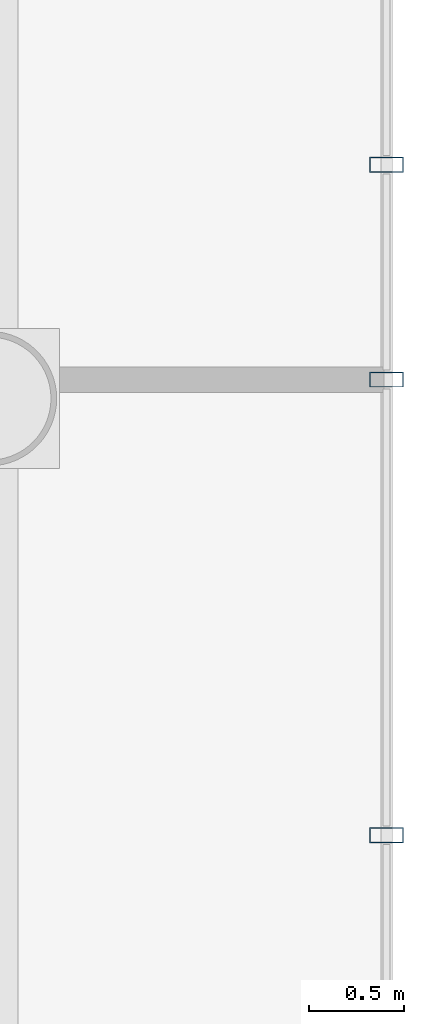
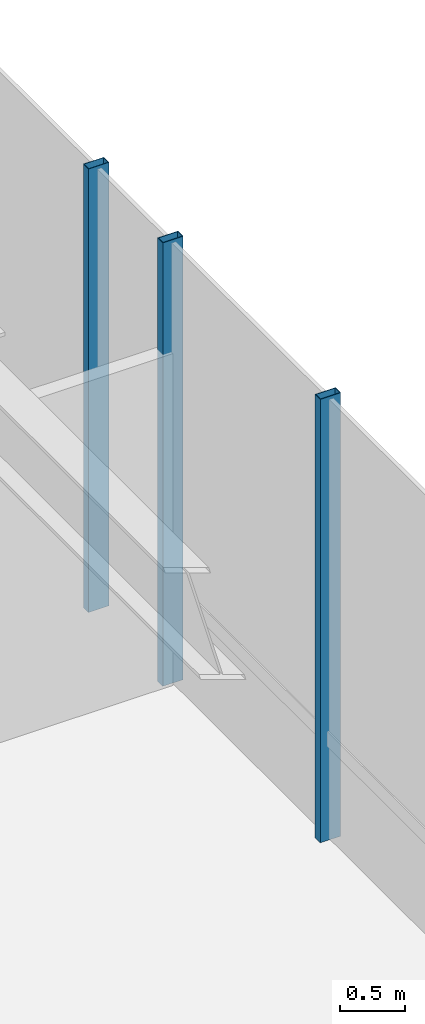
# One storey, part 29 of 43: 3 members, 1 element without a shape of its own.
"""IFC4 building model written with IfcOpenShell, lengths in metres."""

from ifc_helpers import new_model, si_unit, direction, frame, origin, origin_2d, place, context, subcontext, project, spatial, hollow_rectangle, extrude, material, layer, layer_set, material_profile, profile_set, type_object, element, aggregate, save


model = new_model("IFC4")

# Units and contexts
model_context = context("Model", 3, precision=1e-05, world=origin(), true_north=direction((0.0, 1.0)))
body_context = subcontext(model_context, "Body", "Model", "MODEL_VIEW")
ifc_project = project(units=[si_unit("LENGTHUNIT", "METRE"), si_unit("AREAUNIT", "SQUARE_METRE"), si_unit("VOLUMEUNIT", "CUBIC_METRE"), si_unit("PLANEANGLEUNIT", "RADIAN"), si_unit("MASSUNIT", "GRAM", prefix="KILO")], contexts=[model_context])

# Site, building, storey
site_placement = place(None, origin())
site = spatial("IfcSite", under=ifc_project, at=site_placement, CompositionType="ELEMENT")
building_placement = place(site_placement, origin())
building = spatial("IfcBuilding", under=site, at=building_placement, Name="Zarrinselat Tower", CompositionType="ELEMENT")
storey_placement = place(building_placement, frame((0.0, 0.0, 5.10009765625)))
storey = spatial("IfcBuildingStorey", under=building, at=storey_placement, Name="L01", CompositionType="ELEMENT", Elevation=5.10009765625)

# Curtain wall, members
ifc_material_1 = material(Name="Extruded Aluminium Alloy EN AW-6063 T6", Category="aluminium")
ifc_layer = layer(ifc_material_1, 0.2099609375)
ifc_layer_set = layer_set([ifc_layer], Name="Extruded Aluminium Alloy EN AW-6063 T6")
curtain_wall_type = type_object("IfcCurtainWallType", Name="CWS-POD", PredefinedType="NOTDEFINED", material=ifc_layer_set)
curtain_wall_placement = place(storey_placement, origin())
curtain_wall = element("IfcCurtainWall", 1, at=curtain_wall_placement, inside=storey, type_object=curtain_wall_type, Name="L01 Unitised Curtain Wall CW-L01-F3", PredefinedType="NOTDEFINED")
ifc_material_2 = material(Name="Extruded Aluminium Alloy EN AW-6063 T6", Category="aluminium")
ifc_material_profile = material_profile(ifc_material_2, hollow_rectangle(XDim=0.080078125, YDim=0.179931640625, WallThickness=0.0048828125, at=origin_2d()), Name="RHS 180x80x5")
ifc_profile_set = profile_set([ifc_material_profile], Name="Extruded Aluminium Alloy EN AW-6063 T6")
member_type = type_object("IfcMemberType", Name="MEM-CW-MUL", PredefinedType="MULLION", material=ifc_profile_set)
member_1_placement = place(storey_placement, frame((79.300048828125, 16.0908203125, 0.0), z_axis=(0.0, 0.0, 1.0), x_axis=(0.0, 1.0, 0.0)))
member_1 = element("IfcMember", 2, at=member_1_placement, type_object=member_type, Name="CW-L01-F3 Mullion 2", PredefinedType="MULLION", context=body_context, shape_type="SweptSolid", body=[
    extrude(hollow_rectangle(XDim=0.080078125, YDim=0.179931640625, WallThickness=0.0048828125, at=origin_2d()), origin(), (0.0, 0.0, 1.0), 4.139892578125),
])
member_2_placement = place(storey_placement, frame((79.300048828125, 18.5, 0.0), z_axis=(0.0, 0.0, 1.0), x_axis=(0.0, 1.0, 0.0)))
member_2 = element("IfcMember", 3, at=member_2_placement, type_object=member_type, Name="CW-L01-F3 Mullion 3", PredefinedType="MULLION", context=body_context, shape_type="SweptSolid", body=[
    extrude(hollow_rectangle(XDim=0.080078125, YDim=0.179931640625, WallThickness=0.0048828125, at=origin_2d()), origin(), (0.0, 0.0, 1.0), 4.139892578125),
])
member_3_placement = place(storey_placement, frame((79.300048828125, 19.636474609375, 0.0), z_axis=(0.0, 0.0, 1.0), x_axis=(0.0, 1.0, 0.0)))
member_3 = element("IfcMember", 4, at=member_3_placement, type_object=member_type, Name="CW-L01-F3 Mullion 4", PredefinedType="MULLION", context=body_context, shape_type="SweptSolid", body=[
    extrude(hollow_rectangle(XDim=0.080078125, YDim=0.179931640625, WallThickness=0.0048828125, at=origin_2d()), origin(), (0.0, 0.0, 1.0), 4.139892578125),
])
aggregate(curtain_wall, [member_1, member_2, member_3])

save(model, "model.ifc")
